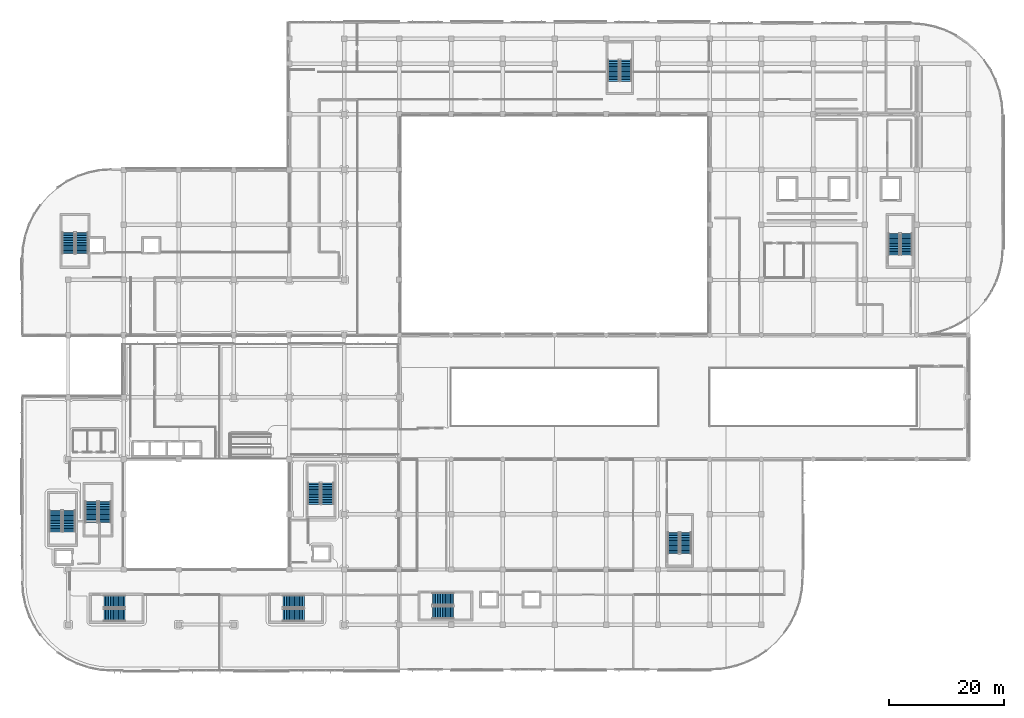
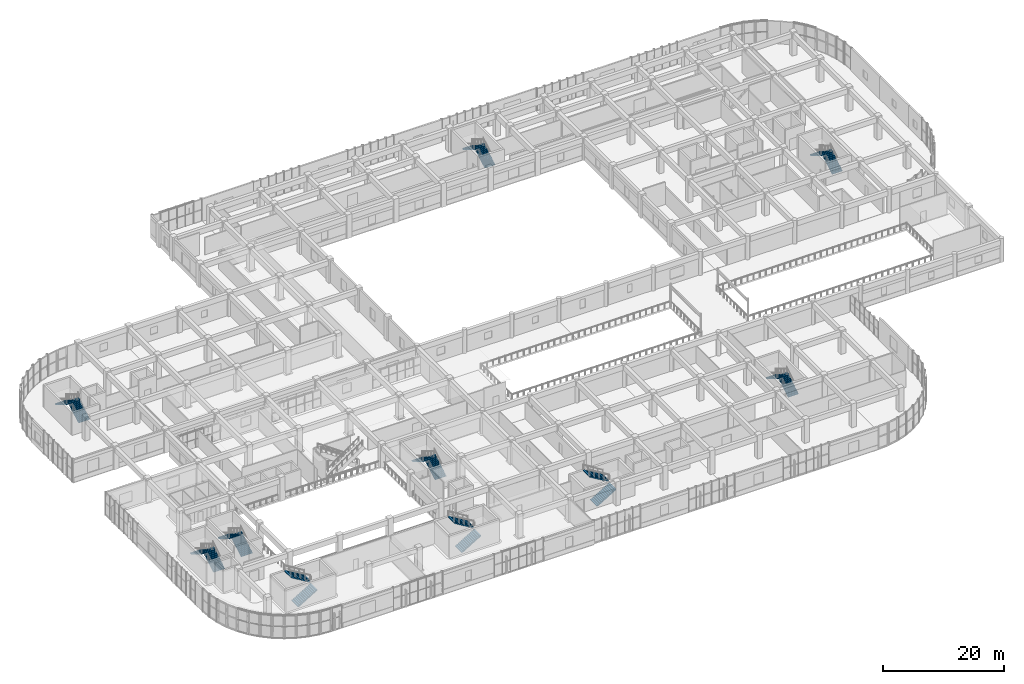
# One storey, part 62 of 86: 20 stair flights, 10 elements without a shape of their own.
"""IFC4 building model written with IfcOpenShell, lengths in metres."""

from ifc_helpers import new_model, si_unit, direction, frame, origin, place, context, subcontext, project, spatial, polyline, outline, extrude, material, layer, layer_set, type_object, element, aggregate, save


model = new_model("IFC4")

# Units and contexts
model_context = context("Model", 3, precision=1e-05, world=origin(), true_north=direction((0.0, 1.0)))
body_context = subcontext(model_context, "Body", "Model", "MODEL_VIEW")
ifc_project = project(units=[si_unit("LENGTHUNIT", "METRE"), si_unit("AREAUNIT", "SQUARE_METRE"), si_unit("VOLUMEUNIT", "CUBIC_METRE"), si_unit("PLANEANGLEUNIT", "RADIAN"), si_unit("MASSUNIT", "GRAM", prefix="KILO")], contexts=[model_context])

# Site, building, storey
site_placement = place(None, origin())
site = spatial("IfcSite", under=ifc_project, at=site_placement, CompositionType="ELEMENT")
building_placement = place(site_placement, origin())
building = spatial("IfcBuilding", under=site, at=building_placement, Name="Cendralis Terraced Arcade", CompositionType="ELEMENT")
storey_placement = place(building_placement, frame((0.0, 0.0, 5.39990234375)))
storey = spatial("IfcBuildingStorey", under=building, at=storey_placement, Name="L01", CompositionType="ELEMENT", Elevation=5.39990234375)

# Stair, stair flights
ifc_material = material(Name="Concrete f'c 35 MPa", Category="concrete")
stair_type_1 = type_object("IfcStairType", Name="STR-W195-H480", PredefinedType="HALF_TURN_STAIR", material=ifc_material)
stair_1_placement = place(storey_placement, origin())
stair_1 = element("IfcStair", 1, at=stair_1_placement, inside=storey, type_object=stair_type_1, Name="L01 Protected Exit Stair ST-06", PredefinedType="HALF_TURN_STAIR")
ifc_layer_1 = layer(ifc_material, 0.159912109375, Name="FLT-W195-H480")
ifc_layer_set_1 = layer_set([ifc_layer_1], Name="Concrete f'c 35 MPa")
stair_flight_type_1 = type_object("IfcStairFlightType", Name="FLT-W195-H480", PredefinedType="STRAIGHT", material=ifc_layer_set_1)
stair_flight_1_placement = place(storey_placement, frame((155.425048828125, 73.949951171875, 0.0), z_axis=(0.0, 0.0, 1.0), x_axis=(0.0, 1.0, 0.0)))
stair_flight_1 = element("IfcStairFlight", 2, at=stair_flight_1_placement, type_object=stair_flight_type_1, Name="ST-06 flight 1", NumberOfRisers=14, NumberOfTreads=13, PredefinedType="STRAIGHT", RiserHeight=0.171428571, TreadLength=0.285, context=body_context, shape_type="SweptSolid", body=[
    extrude(outline(polyline([(0.0, 0.0), (0.0, 0.17138671875), (0.284912109375, 0.17138671875), (0.284912109375, 0.3427734375), (0.570068359375, 0.3427734375), (0.570068359375, 0.514404296875), (0.85498046875, 0.514404296875), (0.85498046875, 0.685791015625), (1.139892578125, 0.685791015625), (1.139892578125, 0.857177734375), (1.425048828125, 0.857177734375), (1.425048828125, 1.028564453125), (1.7099609375, 1.028564453125), (1.7099609375, 1.199951171875), (1.9951171875, 1.199951171875), (1.9951171875, 1.371337890625), (2.280029296875, 1.371337890625), (2.280029296875, 1.54296875), (2.56494140625, 1.54296875), (2.56494140625, 1.71435546875), (2.85009765625, 1.71435546875), (2.85009765625, 1.8857421875), (3.135009765625, 1.8857421875), (3.135009765625, 2.05712890625), (3.419921875, 2.05712890625), (3.419921875, 2.228515625), (3.705078125, 2.228515625), (3.705078125, 2.39990234375), (3.705078125, 2.0537109375), (0.290771484375, 0.0), (0.0, 0.0)])), frame((0.0, 0.97509765625, 0.0), z_axis=(0.0, -1.0, 0.0), x_axis=(1.0, 0.0, 0.0)), (0.0, 0.0, 1.0), 1.949951171875),
])
stair_flight_2_placement = place(storey_placement, frame((153.27490234375, 77.655029296875, 2.400146484375), z_axis=(0.0, 0.0, 1.0), x_axis=(0.0, -1.0, 0.0)))
stair_flight_2 = element("IfcStairFlight", 3, at=stair_flight_2_placement, type_object=stair_flight_type_1, Name="ST-06 flight 2", NumberOfRisers=14, NumberOfTreads=13, PredefinedType="STRAIGHT", RiserHeight=0.171428571, TreadLength=0.285, context=body_context, shape_type="SweptSolid", body=[
    extrude(outline(polyline([(0.0, 0.0), (0.0, 0.17138671875), (0.284912109375, 0.17138671875), (0.284912109375, 0.3427734375), (0.570068359375, 0.3427734375), (0.570068359375, 0.514404296875), (0.85498046875, 0.514404296875), (0.85498046875, 0.685791015625), (1.139892578125, 0.685791015625), (1.139892578125, 0.857177734375), (1.425048828125, 0.857177734375), (1.425048828125, 1.028564453125), (1.7099609375, 1.028564453125), (1.7099609375, 1.199951171875), (1.9951171875, 1.199951171875), (1.9951171875, 1.371337890625), (2.280029296875, 1.371337890625), (2.280029296875, 1.54296875), (2.56494140625, 1.54296875), (2.56494140625, 1.71435546875), (2.85009765625, 1.71435546875), (2.85009765625, 1.8857421875), (3.135009765625, 1.8857421875), (3.135009765625, 2.05712890625), (3.419921875, 2.05712890625), (3.419921875, 2.228515625), (3.705078125, 2.228515625), (3.705078125, 2.39990234375), (3.705078125, 2.0537109375), (0.290771484375, 0.0), (0.0, 0.0)])), frame((0.0, 0.97509765625, 0.0), z_axis=(0.0, -1.0, 0.0), x_axis=(1.0, 0.0, 0.0)), (0.0, 0.0, 1.0), 1.949951171875),
])
aggregate(stair_1, [stair_flight_1, stair_flight_2])

stair_2_placement = place(storey_placement, origin())
stair_2 = element("IfcStair", 4, at=stair_2_placement, inside=storey, type_object=stair_type_1, Name="L01 Protected Exit Stair ST-09", PredefinedType="HALF_TURN_STAIR")
stair_flight_3_placement = place(storey_placement, frame((117.02490234375, 21.949951171875, 0.0), z_axis=(0.0, 0.0, 1.0), x_axis=(0.0, 1.0, 0.0)))
stair_flight_3 = element("IfcStairFlight", 5, at=stair_flight_3_placement, type_object=stair_flight_type_1, Name="ST-09 flight 1", NumberOfRisers=14, NumberOfTreads=13, PredefinedType="STRAIGHT", RiserHeight=0.171428571, TreadLength=0.285, context=body_context, shape_type="SweptSolid", body=[
    extrude(outline(polyline([(0.0, 0.0), (0.0, 0.17138671875), (0.284912109375, 0.17138671875), (0.284912109375, 0.3427734375), (0.570068359375, 0.3427734375), (0.570068359375, 0.514404296875), (0.85498046875, 0.514404296875), (0.85498046875, 0.685791015625), (1.139892578125, 0.685791015625), (1.139892578125, 0.857177734375), (1.425048828125, 0.857177734375), (1.425048828125, 1.028564453125), (1.7099609375, 1.028564453125), (1.7099609375, 1.199951171875), (1.9951171875, 1.199951171875), (1.9951171875, 1.371337890625), (2.280029296875, 1.371337890625), (2.280029296875, 1.54296875), (2.56494140625, 1.54296875), (2.56494140625, 1.71435546875), (2.85009765625, 1.71435546875), (2.85009765625, 1.8857421875), (3.135009765625, 1.8857421875), (3.135009765625, 2.05712890625), (3.419921875, 2.05712890625), (3.419921875, 2.228515625), (3.705078125, 2.228515625), (3.705078125, 2.39990234375), (3.705078125, 2.0537109375), (0.290771484375, 0.0), (0.0, 0.0)])), frame((0.0, 0.97509765625, 0.0), z_axis=(0.0, -1.0, 0.0), x_axis=(1.0, 0.0, 0.0)), (0.0, 0.0, 1.0), 1.949951171875),
])
stair_flight_4_placement = place(storey_placement, frame((114.875, 25.655029296875, 2.400146484375), z_axis=(0.0, 0.0, 1.0), x_axis=(0.0, -1.0, 0.0)))
stair_flight_4 = element("IfcStairFlight", 6, at=stair_flight_4_placement, type_object=stair_flight_type_1, Name="ST-09 flight 2", NumberOfRisers=14, NumberOfTreads=13, PredefinedType="STRAIGHT", RiserHeight=0.171428571, TreadLength=0.285, context=body_context, shape_type="SweptSolid", body=[
    extrude(outline(polyline([(0.0, 0.0), (0.0, 0.17138671875), (0.284912109375, 0.17138671875), (0.284912109375, 0.3427734375), (0.570068359375, 0.3427734375), (0.570068359375, 0.514404296875), (0.85498046875, 0.514404296875), (0.85498046875, 0.685791015625), (1.139892578125, 0.685791015625), (1.139892578125, 0.857177734375), (1.425048828125, 0.857177734375), (1.425048828125, 1.028564453125), (1.7099609375, 1.028564453125), (1.7099609375, 1.199951171875), (1.9951171875, 1.199951171875), (1.9951171875, 1.371337890625), (2.280029296875, 1.371337890625), (2.280029296875, 1.54296875), (2.56494140625, 1.54296875), (2.56494140625, 1.71435546875), (2.85009765625, 1.71435546875), (2.85009765625, 1.8857421875), (3.135009765625, 1.8857421875), (3.135009765625, 2.05712890625), (3.419921875, 2.05712890625), (3.419921875, 2.228515625), (3.705078125, 2.228515625), (3.705078125, 2.39990234375), (3.705078125, 2.0537109375), (0.290771484375, 0.0), (0.0, 0.0)])), frame((0.0, 0.97509765625, 0.0), z_axis=(0.0, -1.0, 0.0), x_axis=(1.0, 0.0, 0.0)), (0.0, 0.0, 1.0), 1.949951171875),
])
aggregate(stair_2, [stair_flight_3, stair_flight_4])

stair_3_placement = place(storey_placement, origin())
stair_3 = element("IfcStair", 7, at=stair_3_placement, inside=storey, type_object=stair_type_1, Name="L01 Protected Exit Stair ST-10", PredefinedType="HALF_TURN_STAIR")
stair_flight_5_placement = place(storey_placement, frame((106.625, 104.14990234375, 0.0), z_axis=(0.0, 0.0, 1.0), x_axis=(0.0, 1.0, 0.0)))
stair_flight_5 = element("IfcStairFlight", 8, at=stair_flight_5_placement, type_object=stair_flight_type_1, Name="ST-10 flight 1", NumberOfRisers=14, NumberOfTreads=13, PredefinedType="STRAIGHT", RiserHeight=0.171428571, TreadLength=0.285, context=body_context, shape_type="SweptSolid", body=[
    extrude(outline(polyline([(0.0, 0.0), (0.0, 0.17138671875), (0.284912109375, 0.17138671875), (0.284912109375, 0.3427734375), (0.570068359375, 0.3427734375), (0.570068359375, 0.514404296875), (0.85498046875, 0.514404296875), (0.85498046875, 0.685791015625), (1.139892578125, 0.685791015625), (1.139892578125, 0.857177734375), (1.425048828125, 0.857177734375), (1.425048828125, 1.028564453125), (1.7099609375, 1.028564453125), (1.7099609375, 1.199951171875), (1.9951171875, 1.199951171875), (1.9951171875, 1.371337890625), (2.280029296875, 1.371337890625), (2.280029296875, 1.54296875), (2.56494140625, 1.54296875), (2.56494140625, 1.71435546875), (2.85009765625, 1.71435546875), (2.85009765625, 1.8857421875), (3.135009765625, 1.8857421875), (3.135009765625, 2.05712890625), (3.419921875, 2.05712890625), (3.419921875, 2.228515625), (3.705078125, 2.228515625), (3.705078125, 2.39990234375), (3.705078125, 2.0537109375), (0.290771484375, 0.0), (0.0, 0.0)])), frame((0.0, 0.97509765625, 0.0), z_axis=(0.0, -1.0, 0.0), x_axis=(1.0, 0.0, 0.0)), (0.0, 0.0, 1.0), 1.949951171875),
])
stair_flight_6_placement = place(storey_placement, frame((104.47509765625, 107.85498046875, 2.400146484375), z_axis=(0.0, 0.0, 1.0), x_axis=(0.0, -1.0, 0.0)))
stair_flight_6 = element("IfcStairFlight", 9, at=stair_flight_6_placement, type_object=stair_flight_type_1, Name="ST-10 flight 2", NumberOfRisers=14, NumberOfTreads=13, PredefinedType="STRAIGHT", RiserHeight=0.171428571, TreadLength=0.285, context=body_context, shape_type="SweptSolid", body=[
    extrude(outline(polyline([(0.0, 0.0), (0.0, 0.17138671875), (0.284912109375, 0.17138671875), (0.284912109375, 0.3427734375), (0.570068359375, 0.3427734375), (0.570068359375, 0.514404296875), (0.85498046875, 0.514404296875), (0.85498046875, 0.685791015625), (1.139892578125, 0.685791015625), (1.139892578125, 0.857177734375), (1.425048828125, 0.857177734375), (1.425048828125, 1.028564453125), (1.7099609375, 1.028564453125), (1.7099609375, 1.199951171875), (1.9951171875, 1.199951171875), (1.9951171875, 1.371337890625), (2.280029296875, 1.371337890625), (2.280029296875, 1.54296875), (2.56494140625, 1.54296875), (2.56494140625, 1.71435546875), (2.85009765625, 1.71435546875), (2.85009765625, 1.8857421875), (3.135009765625, 1.8857421875), (3.135009765625, 2.05712890625), (3.419921875, 2.05712890625), (3.419921875, 2.228515625), (3.705078125, 2.228515625), (3.705078125, 2.39990234375), (3.705078125, 2.0537109375), (0.290771484375, 0.0), (0.0, 0.0)])), frame((0.0, 0.97509765625, 0.0), z_axis=(0.0, -1.0, 0.0), x_axis=(1.0, 0.0, 0.0)), (0.0, 0.0, 1.0), 1.949951171875),
])
aggregate(stair_3, [stair_flight_5, stair_flight_6])

stair_type_2 = type_object("IfcStairType", Name="STR-W215-H480", PredefinedType="HALF_TURN_STAIR", material=ifc_material)
stair_4_placement = place(storey_placement, origin())
stair_4 = element("IfcStair", 10, at=stair_4_placement, inside=storey, type_object=stair_type_2, Name="L01 Protected Exit Stair ST-01", PredefinedType="HALF_TURN_STAIR")
ifc_layer_2 = layer(ifc_material, 0.159912109375, Name="FLT-W215-H480")
ifc_layer_set_2 = layer_set([ifc_layer_2], Name="Concrete f'c 35 MPa")
stair_flight_type_2 = type_object("IfcStairFlightType", Name="FLT-W215-H480", PredefinedType="STRAIGHT", material=ifc_layer_set_2)
stair_flight_7_placement = place(storey_placement, frame((9.72509765625, 25.75, 0.0), z_axis=(0.0, 0.0, 1.0), x_axis=(0.0, 1.0, 0.0)))
stair_flight_7 = element("IfcStairFlight", 11, at=stair_flight_7_placement, type_object=stair_flight_type_2, Name="ST-01 flight 1", NumberOfRisers=14, NumberOfTreads=13, PredefinedType="STRAIGHT", RiserHeight=0.171428571, TreadLength=0.285, context=body_context, shape_type="SweptSolid", body=[
    extrude(outline(polyline([(0.0, 0.0), (0.0, 0.17138671875), (0.284912109375, 0.17138671875), (0.284912109375, 0.3427734375), (0.570068359375, 0.3427734375), (0.570068359375, 0.514404296875), (0.85498046875, 0.514404296875), (0.85498046875, 0.685791015625), (1.139892578125, 0.685791015625), (1.139892578125, 0.857177734375), (1.425048828125, 0.857177734375), (1.425048828125, 1.028564453125), (1.7099609375, 1.028564453125), (1.7099609375, 1.199951171875), (1.9951171875, 1.199951171875), (1.9951171875, 1.371337890625), (2.280029296875, 1.371337890625), (2.280029296875, 1.54296875), (2.56494140625, 1.54296875), (2.56494140625, 1.71435546875), (2.85009765625, 1.71435546875), (2.85009765625, 1.8857421875), (3.135009765625, 1.8857421875), (3.135009765625, 2.05712890625), (3.419921875, 2.05712890625), (3.419921875, 2.228515625), (3.705078125, 2.228515625), (3.705078125, 2.39990234375), (3.705078125, 2.0537109375), (0.290771484375, 0.0), (0.0, 0.0)])), frame((0.0, 1.074951171875, 0.0), z_axis=(0.0, -1.0, 0.0), x_axis=(1.0, 0.0, 0.0)), (0.0, 0.0, 1.0), 2.14990234375),
])
stair_flight_8_placement = place(storey_placement, frame((7.375, 29.455078125, 2.400146484375), z_axis=(0.0, 0.0, 1.0), x_axis=(0.0, -1.0, 0.0)))
stair_flight_8 = element("IfcStairFlight", 12, at=stair_flight_8_placement, type_object=stair_flight_type_2, Name="ST-01 flight 2", NumberOfRisers=14, NumberOfTreads=13, PredefinedType="STRAIGHT", RiserHeight=0.171428571, TreadLength=0.285, context=body_context, shape_type="SweptSolid", body=[
    extrude(outline(polyline([(0.0, 0.0), (0.0, 0.17138671875), (0.284912109375, 0.17138671875), (0.284912109375, 0.3427734375), (0.570068359375, 0.3427734375), (0.570068359375, 0.514404296875), (0.85498046875, 0.514404296875), (0.85498046875, 0.685791015625), (1.139892578125, 0.685791015625), (1.139892578125, 0.857177734375), (1.425048828125, 0.857177734375), (1.425048828125, 1.028564453125), (1.7099609375, 1.028564453125), (1.7099609375, 1.199951171875), (1.9951171875, 1.199951171875), (1.9951171875, 1.371337890625), (2.280029296875, 1.371337890625), (2.280029296875, 1.54296875), (2.56494140625, 1.54296875), (2.56494140625, 1.71435546875), (2.85009765625, 1.71435546875), (2.85009765625, 1.8857421875), (3.135009765625, 1.8857421875), (3.135009765625, 2.05712890625), (3.419921875, 2.05712890625), (3.419921875, 2.228515625), (3.705078125, 2.228515625), (3.705078125, 2.39990234375), (3.705078125, 2.0537109375), (0.290771484375, 0.0), (0.0, 0.0)])), frame((0.0, 1.074951171875, 0.0), z_axis=(0.0, -1.0, 0.0), x_axis=(1.0, 0.0, 0.0)), (0.0, 0.0, 1.0), 2.14990234375),
])
aggregate(stair_4, [stair_flight_7, stair_flight_8])

stair_5_placement = place(storey_placement, origin())
stair_5 = element("IfcStair", 13, at=stair_5_placement, inside=storey, type_object=stair_type_2, Name="L01 Protected Exit Stair ST-02", PredefinedType="HALF_TURN_STAIR")
stair_flight_9_placement = place(storey_placement, frame((15.75, 11.27490234375, 0.0), z_axis=(0.0, 0.0, 1.0), x_axis=(1.0, 0.0, 0.0)))
stair_flight_9 = element("IfcStairFlight", 14, at=stair_flight_9_placement, type_object=stair_flight_type_2, Name="ST-02 flight 1", NumberOfRisers=14, NumberOfTreads=13, PredefinedType="STRAIGHT", RiserHeight=0.171428571, TreadLength=0.285, context=body_context, shape_type="SweptSolid", body=[
    extrude(outline(polyline([(0.0, 0.0), (0.0, 0.17138671875), (0.284912109375, 0.17138671875), (0.284912109375, 0.3427734375), (0.570068359375, 0.3427734375), (0.570068359375, 0.514404296875), (0.85498046875, 0.514404296875), (0.85498046875, 0.685791015625), (1.139892578125, 0.685791015625), (1.139892578125, 0.857177734375), (1.425048828125, 0.857177734375), (1.425048828125, 1.028564453125), (1.7099609375, 1.028564453125), (1.7099609375, 1.199951171875), (1.9951171875, 1.199951171875), (1.9951171875, 1.371337890625), (2.280029296875, 1.371337890625), (2.280029296875, 1.54296875), (2.56494140625, 1.54296875), (2.56494140625, 1.71435546875), (2.85009765625, 1.71435546875), (2.85009765625, 1.8857421875), (3.135009765625, 1.8857421875), (3.135009765625, 2.05712890625), (3.419921875, 2.05712890625), (3.419921875, 2.228515625), (3.705078125, 2.228515625), (3.705078125, 2.39990234375), (3.705078125, 2.0537109375), (0.290771484375, 0.0), (0.0, 0.0)])), frame((0.0, 1.074951171875, 0.0), z_axis=(0.0, -1.0, 0.0), x_axis=(1.0, 0.0, 0.0)), (0.0, 0.0, 1.0), 2.14990234375),
])
stair_flight_10_placement = place(storey_placement, frame((19.455078125, 13.625, 2.400146484375), z_axis=(0.0, 0.0, 1.0), x_axis=(-1.0, 0.0, 0.0)))
stair_flight_10 = element("IfcStairFlight", 15, at=stair_flight_10_placement, type_object=stair_flight_type_2, Name="ST-02 flight 2", NumberOfRisers=14, NumberOfTreads=13, PredefinedType="STRAIGHT", RiserHeight=0.171428571, TreadLength=0.285, context=body_context, shape_type="SweptSolid", body=[
    extrude(outline(polyline([(0.0, 0.0), (0.0, 0.17138671875), (0.284912109375, 0.17138671875), (0.284912109375, 0.3427734375), (0.570068359375, 0.3427734375), (0.570068359375, 0.514404296875), (0.85498046875, 0.514404296875), (0.85498046875, 0.685791015625), (1.139892578125, 0.685791015625), (1.139892578125, 0.857177734375), (1.425048828125, 0.857177734375), (1.425048828125, 1.028564453125), (1.7099609375, 1.028564453125), (1.7099609375, 1.199951171875), (1.9951171875, 1.199951171875), (1.9951171875, 1.371337890625), (2.280029296875, 1.371337890625), (2.280029296875, 1.54296875), (2.56494140625, 1.54296875), (2.56494140625, 1.71435546875), (2.85009765625, 1.71435546875), (2.85009765625, 1.8857421875), (3.135009765625, 1.8857421875), (3.135009765625, 2.05712890625), (3.419921875, 2.05712890625), (3.419921875, 2.228515625), (3.705078125, 2.228515625), (3.705078125, 2.39990234375), (3.705078125, 2.0537109375), (0.290771484375, 0.0), (0.0, 0.0)])), frame((0.0, 1.074951171875, 0.0), z_axis=(0.0, -1.0, 0.0), x_axis=(1.0, 0.0, 0.0)), (0.0, 0.0, 1.0), 2.14990234375),
])
aggregate(stair_5, [stair_flight_9, stair_flight_10])

stair_6_placement = place(storey_placement, origin())
stair_6 = element("IfcStair", 16, at=stair_6_placement, inside=storey, type_object=stair_type_2, Name="L01 Protected Exit Stair ST-03", PredefinedType="HALF_TURN_STAIR")
stair_flight_11_placement = place(storey_placement, frame((46.949951171875, 11.27490234375, 0.0), z_axis=(0.0, 0.0, 1.0), x_axis=(1.0, 0.0, 0.0)))
stair_flight_11 = element("IfcStairFlight", 17, at=stair_flight_11_placement, type_object=stair_flight_type_2, Name="ST-03 flight 1", NumberOfRisers=14, NumberOfTreads=13, PredefinedType="STRAIGHT", RiserHeight=0.171428571, TreadLength=0.285, context=body_context, shape_type="SweptSolid", body=[
    extrude(outline(polyline([(0.0, 0.0), (0.0, 0.17138671875), (0.284912109375, 0.17138671875), (0.284912109375, 0.3427734375), (0.570068359375, 0.3427734375), (0.570068359375, 0.514404296875), (0.85498046875, 0.514404296875), (0.85498046875, 0.685791015625), (1.139892578125, 0.685791015625), (1.139892578125, 0.857177734375), (1.425048828125, 0.857177734375), (1.425048828125, 1.028564453125), (1.7099609375, 1.028564453125), (1.7099609375, 1.199951171875), (1.9951171875, 1.199951171875), (1.9951171875, 1.371337890625), (2.280029296875, 1.371337890625), (2.280029296875, 1.54296875), (2.56494140625, 1.54296875), (2.56494140625, 1.71435546875), (2.85009765625, 1.71435546875), (2.85009765625, 1.8857421875), (3.135009765625, 1.8857421875), (3.135009765625, 2.05712890625), (3.419921875, 2.05712890625), (3.419921875, 2.228515625), (3.705078125, 2.228515625), (3.705078125, 2.39990234375), (3.705078125, 2.0537109375), (0.290771484375, 0.0), (0.0, 0.0)])), frame((0.0, 1.074951171875, 0.0), z_axis=(0.0, -1.0, 0.0), x_axis=(1.0, 0.0, 0.0)), (0.0, 0.0, 1.0), 2.14990234375),
])
stair_flight_12_placement = place(storey_placement, frame((50.655029296875, 13.625, 2.400146484375), z_axis=(0.0, 0.0, 1.0), x_axis=(-1.0, 0.0, 0.0)))
stair_flight_12 = element("IfcStairFlight", 18, at=stair_flight_12_placement, type_object=stair_flight_type_2, Name="ST-03 flight 2", NumberOfRisers=14, NumberOfTreads=13, PredefinedType="STRAIGHT", RiserHeight=0.171428571, TreadLength=0.285, context=body_context, shape_type="SweptSolid", body=[
    extrude(outline(polyline([(0.0, 0.0), (0.0, 0.17138671875), (0.284912109375, 0.17138671875), (0.284912109375, 0.3427734375), (0.570068359375, 0.3427734375), (0.570068359375, 0.514404296875), (0.85498046875, 0.514404296875), (0.85498046875, 0.685791015625), (1.139892578125, 0.685791015625), (1.139892578125, 0.857177734375), (1.425048828125, 0.857177734375), (1.425048828125, 1.028564453125), (1.7099609375, 1.028564453125), (1.7099609375, 1.199951171875), (1.9951171875, 1.199951171875), (1.9951171875, 1.371337890625), (2.280029296875, 1.371337890625), (2.280029296875, 1.54296875), (2.56494140625, 1.54296875), (2.56494140625, 1.71435546875), (2.85009765625, 1.71435546875), (2.85009765625, 1.8857421875), (3.135009765625, 1.8857421875), (3.135009765625, 2.05712890625), (3.419921875, 2.05712890625), (3.419921875, 2.228515625), (3.705078125, 2.228515625), (3.705078125, 2.39990234375), (3.705078125, 2.0537109375), (0.290771484375, 0.0), (0.0, 0.0)])), frame((0.0, 1.074951171875, 0.0), z_axis=(0.0, -1.0, 0.0), x_axis=(1.0, 0.0, 0.0)), (0.0, 0.0, 1.0), 2.14990234375),
])
aggregate(stair_6, [stair_flight_11, stair_flight_12])

stair_7_placement = place(storey_placement, origin())
stair_7 = element("IfcStair", 19, at=stair_7_placement, inside=storey, type_object=stair_type_2, Name="L01 Protected Exit Stair ST-04", PredefinedType="HALF_TURN_STAIR")
stair_flight_13_placement = place(storey_placement, frame((54.72509765625, 30.550048828125, 0.0), z_axis=(0.0, 0.0, 1.0), x_axis=(0.0, 1.0, 0.0)))
stair_flight_13 = element("IfcStairFlight", 20, at=stair_flight_13_placement, type_object=stair_flight_type_2, Name="ST-04 flight 1", NumberOfRisers=14, NumberOfTreads=13, PredefinedType="STRAIGHT", RiserHeight=0.171428571, TreadLength=0.285, context=body_context, shape_type="SweptSolid", body=[
    extrude(outline(polyline([(0.0, 0.0), (0.0, 0.17138671875), (0.284912109375, 0.17138671875), (0.284912109375, 0.3427734375), (0.570068359375, 0.3427734375), (0.570068359375, 0.514404296875), (0.85498046875, 0.514404296875), (0.85498046875, 0.685791015625), (1.139892578125, 0.685791015625), (1.139892578125, 0.857177734375), (1.425048828125, 0.857177734375), (1.425048828125, 1.028564453125), (1.7099609375, 1.028564453125), (1.7099609375, 1.199951171875), (1.9951171875, 1.199951171875), (1.9951171875, 1.371337890625), (2.280029296875, 1.371337890625), (2.280029296875, 1.54296875), (2.56494140625, 1.54296875), (2.56494140625, 1.71435546875), (2.85009765625, 1.71435546875), (2.85009765625, 1.8857421875), (3.135009765625, 1.8857421875), (3.135009765625, 2.05712890625), (3.419921875, 2.05712890625), (3.419921875, 2.228515625), (3.705078125, 2.228515625), (3.705078125, 2.39990234375), (3.705078125, 2.0537109375), (0.290771484375, 0.0), (0.0, 0.0)])), frame((0.0, 1.074951171875, 0.0), z_axis=(0.0, -1.0, 0.0), x_axis=(1.0, 0.0, 0.0)), (0.0, 0.0, 1.0), 2.14990234375),
])
stair_flight_14_placement = place(storey_placement, frame((52.375, 34.2548828125, 2.400146484375), z_axis=(0.0, 0.0, 1.0), x_axis=(0.0, -1.0, 0.0)))
stair_flight_14 = element("IfcStairFlight", 21, at=stair_flight_14_placement, type_object=stair_flight_type_2, Name="ST-04 flight 2", NumberOfRisers=14, NumberOfTreads=13, PredefinedType="STRAIGHT", RiserHeight=0.171428571, TreadLength=0.285, context=body_context, shape_type="SweptSolid", body=[
    extrude(outline(polyline([(0.0, 0.0), (0.0, 0.17138671875), (0.284912109375, 0.17138671875), (0.284912109375, 0.3427734375), (0.570068359375, 0.3427734375), (0.570068359375, 0.514404296875), (0.85498046875, 0.514404296875), (0.85498046875, 0.685791015625), (1.139892578125, 0.685791015625), (1.139892578125, 0.857177734375), (1.425048828125, 0.857177734375), (1.425048828125, 1.028564453125), (1.7099609375, 1.028564453125), (1.7099609375, 1.199951171875), (1.9951171875, 1.199951171875), (1.9951171875, 1.371337890625), (2.280029296875, 1.371337890625), (2.280029296875, 1.54296875), (2.56494140625, 1.54296875), (2.56494140625, 1.71435546875), (2.85009765625, 1.71435546875), (2.85009765625, 1.8857421875), (3.135009765625, 1.8857421875), (3.135009765625, 2.05712890625), (3.419921875, 2.05712890625), (3.419921875, 2.228515625), (3.705078125, 2.228515625), (3.705078125, 2.39990234375), (3.705078125, 2.0537109375), (0.290771484375, 0.0), (0.0, 0.0)])), frame((0.0, 1.074951171875, 0.0), z_axis=(0.0, -1.0, 0.0), x_axis=(1.0, 0.0, 0.0)), (0.0, 0.0, 1.0), 2.14990234375),
])
aggregate(stair_7, [stair_flight_13, stair_flight_14])

stair_8_placement = place(storey_placement, origin())
stair_8 = element("IfcStair", 22, at=stair_8_placement, inside=storey, type_object=stair_type_2, Name="L01 Protected Exit Stair ST-05", PredefinedType="HALF_TURN_STAIR")
stair_flight_15_placement = place(storey_placement, frame((15.925048828125, 27.35009765625, 0.0), z_axis=(0.0, 0.0, 1.0), x_axis=(0.0, 1.0, 0.0)))
stair_flight_15 = element("IfcStairFlight", 23, at=stair_flight_15_placement, type_object=stair_flight_type_2, Name="ST-05 flight 1", NumberOfRisers=14, NumberOfTreads=13, PredefinedType="STRAIGHT", RiserHeight=0.171428571, TreadLength=0.285, context=body_context, shape_type="SweptSolid", body=[
    extrude(outline(polyline([(0.0, 0.0), (0.0, 0.17138671875), (0.284912109375, 0.17138671875), (0.284912109375, 0.3427734375), (0.570068359375, 0.3427734375), (0.570068359375, 0.514404296875), (0.85498046875, 0.514404296875), (0.85498046875, 0.685791015625), (1.139892578125, 0.685791015625), (1.139892578125, 0.857177734375), (1.425048828125, 0.857177734375), (1.425048828125, 1.028564453125), (1.7099609375, 1.028564453125), (1.7099609375, 1.199951171875), (1.9951171875, 1.199951171875), (1.9951171875, 1.371337890625), (2.280029296875, 1.371337890625), (2.280029296875, 1.54296875), (2.56494140625, 1.54296875), (2.56494140625, 1.71435546875), (2.85009765625, 1.71435546875), (2.85009765625, 1.8857421875), (3.135009765625, 1.8857421875), (3.135009765625, 2.05712890625), (3.419921875, 2.05712890625), (3.419921875, 2.228515625), (3.705078125, 2.228515625), (3.705078125, 2.39990234375), (3.705078125, 2.0537109375), (0.290771484375, 0.0), (0.0, 0.0)])), frame((0.0, 1.074951171875, 0.0), z_axis=(0.0, -1.0, 0.0), x_axis=(1.0, 0.0, 0.0)), (0.0, 0.0, 1.0), 2.14990234375),
])
stair_flight_16_placement = place(storey_placement, frame((13.574951171875, 31.054931640625, 2.400146484375), z_axis=(0.0, 0.0, 1.0), x_axis=(0.0, -1.0, 0.0)))
stair_flight_16 = element("IfcStairFlight", 24, at=stair_flight_16_placement, type_object=stair_flight_type_2, Name="ST-05 flight 2", NumberOfRisers=14, NumberOfTreads=13, PredefinedType="STRAIGHT", RiserHeight=0.171428571, TreadLength=0.285, context=body_context, shape_type="SweptSolid", body=[
    extrude(outline(polyline([(0.0, 0.0), (0.0, 0.17138671875), (0.284912109375, 0.17138671875), (0.284912109375, 0.3427734375), (0.570068359375, 0.3427734375), (0.570068359375, 0.514404296875), (0.85498046875, 0.514404296875), (0.85498046875, 0.685791015625), (1.139892578125, 0.685791015625), (1.139892578125, 0.857177734375), (1.425048828125, 0.857177734375), (1.425048828125, 1.028564453125), (1.7099609375, 1.028564453125), (1.7099609375, 1.199951171875), (1.9951171875, 1.199951171875), (1.9951171875, 1.371337890625), (2.280029296875, 1.371337890625), (2.280029296875, 1.54296875), (2.56494140625, 1.54296875), (2.56494140625, 1.71435546875), (2.85009765625, 1.71435546875), (2.85009765625, 1.8857421875), (3.135009765625, 1.8857421875), (3.135009765625, 2.05712890625), (3.419921875, 2.05712890625), (3.419921875, 2.228515625), (3.705078125, 2.228515625), (3.705078125, 2.39990234375), (3.705078125, 2.0537109375), (0.290771484375, 0.0), (0.0, 0.0)])), frame((0.0, 1.074951171875, 0.0), z_axis=(0.0, -1.0, 0.0), x_axis=(1.0, 0.0, 0.0)), (0.0, 0.0, 1.0), 2.14990234375),
])
aggregate(stair_8, [stair_flight_15, stair_flight_16])

stair_9_placement = place(storey_placement, origin())
stair_9 = element("IfcStair", 25, at=stair_9_placement, inside=storey, type_object=stair_type_2, Name="L01 Protected Exit Stair ST-07", PredefinedType="HALF_TURN_STAIR")
stair_flight_17_placement = place(storey_placement, frame((11.925048828125, 74.14990234375, 0.0), z_axis=(0.0, 0.0, 1.0), x_axis=(0.0, 1.0, 0.0)))
stair_flight_17 = element("IfcStairFlight", 26, at=stair_flight_17_placement, type_object=stair_flight_type_2, Name="ST-07 flight 1", NumberOfRisers=14, NumberOfTreads=13, PredefinedType="STRAIGHT", RiserHeight=0.171428571, TreadLength=0.285, context=body_context, shape_type="SweptSolid", body=[
    extrude(outline(polyline([(0.0, 0.0), (0.0, 0.17138671875), (0.284912109375, 0.17138671875), (0.284912109375, 0.3427734375), (0.570068359375, 0.3427734375), (0.570068359375, 0.514404296875), (0.85498046875, 0.514404296875), (0.85498046875, 0.685791015625), (1.139892578125, 0.685791015625), (1.139892578125, 0.857177734375), (1.425048828125, 0.857177734375), (1.425048828125, 1.028564453125), (1.7099609375, 1.028564453125), (1.7099609375, 1.199951171875), (1.9951171875, 1.199951171875), (1.9951171875, 1.371337890625), (2.280029296875, 1.371337890625), (2.280029296875, 1.54296875), (2.56494140625, 1.54296875), (2.56494140625, 1.71435546875), (2.85009765625, 1.71435546875), (2.85009765625, 1.8857421875), (3.135009765625, 1.8857421875), (3.135009765625, 2.05712890625), (3.419921875, 2.05712890625), (3.419921875, 2.228515625), (3.705078125, 2.228515625), (3.705078125, 2.39990234375), (3.705078125, 2.0537109375), (0.290771484375, 0.0), (0.0, 0.0)])), frame((0.0, 1.074951171875, 0.0), z_axis=(0.0, -1.0, 0.0), x_axis=(1.0, 0.0, 0.0)), (0.0, 0.0, 1.0), 2.14990234375),
])
stair_flight_18_placement = place(storey_placement, frame((9.574951171875, 77.85498046875, 2.400146484375), z_axis=(0.0, 0.0, 1.0), x_axis=(0.0, -1.0, 0.0)))
stair_flight_18 = element("IfcStairFlight", 27, at=stair_flight_18_placement, type_object=stair_flight_type_2, Name="ST-07 flight 2", NumberOfRisers=14, NumberOfTreads=13, PredefinedType="STRAIGHT", RiserHeight=0.171428571, TreadLength=0.285, context=body_context, shape_type="SweptSolid", body=[
    extrude(outline(polyline([(0.0, 0.0), (0.0, 0.17138671875), (0.284912109375, 0.17138671875), (0.284912109375, 0.3427734375), (0.570068359375, 0.3427734375), (0.570068359375, 0.514404296875), (0.85498046875, 0.514404296875), (0.85498046875, 0.685791015625), (1.139892578125, 0.685791015625), (1.139892578125, 0.857177734375), (1.425048828125, 0.857177734375), (1.425048828125, 1.028564453125), (1.7099609375, 1.028564453125), (1.7099609375, 1.199951171875), (1.9951171875, 1.199951171875), (1.9951171875, 1.371337890625), (2.280029296875, 1.371337890625), (2.280029296875, 1.54296875), (2.56494140625, 1.54296875), (2.56494140625, 1.71435546875), (2.85009765625, 1.71435546875), (2.85009765625, 1.8857421875), (3.135009765625, 1.8857421875), (3.135009765625, 2.05712890625), (3.419921875, 2.05712890625), (3.419921875, 2.228515625), (3.705078125, 2.228515625), (3.705078125, 2.39990234375), (3.705078125, 2.0537109375), (0.290771484375, 0.0), (0.0, 0.0)])), frame((0.0, 1.074951171875, 0.0), z_axis=(0.0, -1.0, 0.0), x_axis=(1.0, 0.0, 0.0)), (0.0, 0.0, 1.0), 2.14990234375),
])
aggregate(stair_9, [stair_flight_17, stair_flight_18])

stair_10_placement = place(storey_placement, origin())
stair_10 = element("IfcStair", 28, at=stair_10_placement, inside=storey, type_object=stair_type_2, Name="L01 Protected Exit Stair ST-08", PredefinedType="HALF_TURN_STAIR")
stair_flight_19_placement = place(storey_placement, frame((72.949951171875, 11.675048828125, 0.0), z_axis=(0.0, 0.0, 1.0), x_axis=(1.0, 0.0, 0.0)))
stair_flight_19 = element("IfcStairFlight", 29, at=stair_flight_19_placement, type_object=stair_flight_type_2, Name="ST-08 flight 1", NumberOfRisers=14, NumberOfTreads=13, PredefinedType="STRAIGHT", RiserHeight=0.171428571, TreadLength=0.285, context=body_context, shape_type="SweptSolid", body=[
    extrude(outline(polyline([(0.0, 0.0), (0.0, 0.17138671875), (0.284912109375, 0.17138671875), (0.284912109375, 0.3427734375), (0.570068359375, 0.3427734375), (0.570068359375, 0.514404296875), (0.85498046875, 0.514404296875), (0.85498046875, 0.685791015625), (1.139892578125, 0.685791015625), (1.139892578125, 0.857177734375), (1.425048828125, 0.857177734375), (1.425048828125, 1.028564453125), (1.7099609375, 1.028564453125), (1.7099609375, 1.199951171875), (1.9951171875, 1.199951171875), (1.9951171875, 1.371337890625), (2.280029296875, 1.371337890625), (2.280029296875, 1.54296875), (2.56494140625, 1.54296875), (2.56494140625, 1.71435546875), (2.85009765625, 1.71435546875), (2.85009765625, 1.8857421875), (3.135009765625, 1.8857421875), (3.135009765625, 2.05712890625), (3.419921875, 2.05712890625), (3.419921875, 2.228515625), (3.705078125, 2.228515625), (3.705078125, 2.39990234375), (3.705078125, 2.0537109375), (0.290771484375, 0.0), (0.0, 0.0)])), frame((0.0, 1.074951171875, 0.0), z_axis=(0.0, -1.0, 0.0), x_axis=(1.0, 0.0, 0.0)), (0.0, 0.0, 1.0), 2.14990234375),
])
stair_flight_20_placement = place(storey_placement, frame((76.655029296875, 14.02490234375, 2.400146484375), z_axis=(0.0, 0.0, 1.0), x_axis=(-1.0, 0.0, 0.0)))
stair_flight_20 = element("IfcStairFlight", 30, at=stair_flight_20_placement, type_object=stair_flight_type_2, Name="ST-08 flight 2", NumberOfRisers=14, NumberOfTreads=13, PredefinedType="STRAIGHT", RiserHeight=0.171428571, TreadLength=0.285, context=body_context, shape_type="SweptSolid", body=[
    extrude(outline(polyline([(0.0, 0.0), (0.0, 0.17138671875), (0.284912109375, 0.17138671875), (0.284912109375, 0.3427734375), (0.570068359375, 0.3427734375), (0.570068359375, 0.514404296875), (0.85498046875, 0.514404296875), (0.85498046875, 0.685791015625), (1.139892578125, 0.685791015625), (1.139892578125, 0.857177734375), (1.425048828125, 0.857177734375), (1.425048828125, 1.028564453125), (1.7099609375, 1.028564453125), (1.7099609375, 1.199951171875), (1.9951171875, 1.199951171875), (1.9951171875, 1.371337890625), (2.280029296875, 1.371337890625), (2.280029296875, 1.54296875), (2.56494140625, 1.54296875), (2.56494140625, 1.71435546875), (2.85009765625, 1.71435546875), (2.85009765625, 1.8857421875), (3.135009765625, 1.8857421875), (3.135009765625, 2.05712890625), (3.419921875, 2.05712890625), (3.419921875, 2.228515625), (3.705078125, 2.228515625), (3.705078125, 2.39990234375), (3.705078125, 2.0537109375), (0.290771484375, 0.0), (0.0, 0.0)])), frame((0.0, 1.074951171875, 0.0), z_axis=(0.0, -1.0, 0.0), x_axis=(1.0, 0.0, 0.0)), (0.0, 0.0, 1.0), 2.14990234375),
])
aggregate(stair_10, [stair_flight_19, stair_flight_20])

save(model, "model.ifc")
